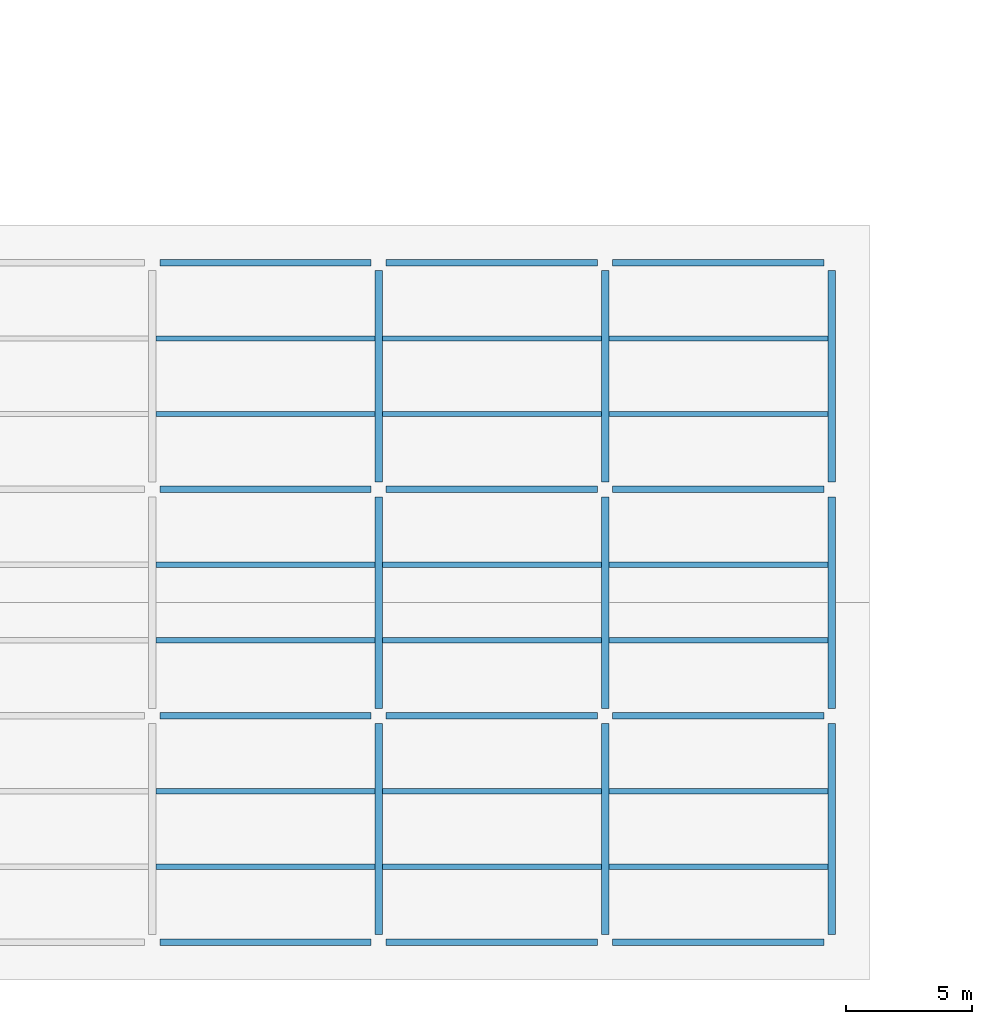
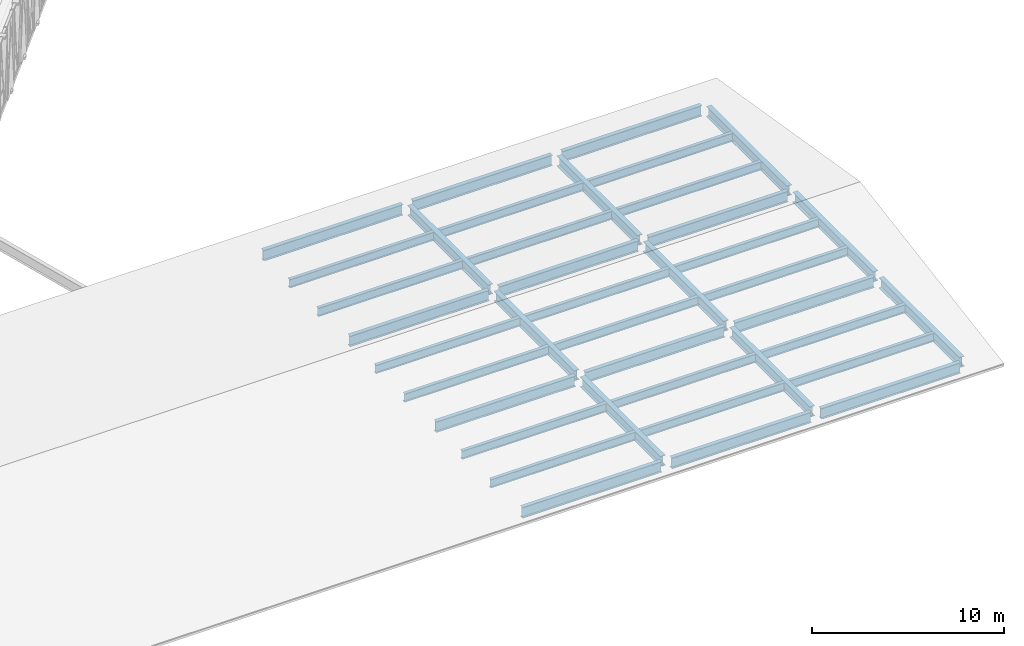
# One storey, part 25 of 108: 39 beams.
"""IFC4 building model written with IfcOpenShell, lengths in metres."""

from ifc_helpers import new_model, si_unit, direction, frame, origin, origin_2d, place, context, subcontext, project, spatial, i_section, extrude, material, material_profile, profile_set, type_object, element, save


model = new_model("IFC4")

# Units and contexts
model_context = context("Model", 3, precision=1e-05, world=origin(), true_north=direction((0.0, 1.0)))
body_context = subcontext(model_context, "Body", "Model", "MODEL_VIEW")
ifc_project = project(units=[si_unit("LENGTHUNIT", "METRE"), si_unit("AREAUNIT", "SQUARE_METRE"), si_unit("VOLUMEUNIT", "CUBIC_METRE"), si_unit("PLANEANGLEUNIT", "RADIAN"), si_unit("MASSUNIT", "GRAM", prefix="KILO")], contexts=[model_context])

# Site, building, storey
site_placement = place(None, origin())
site = spatial("IfcSite", under=ifc_project, at=site_placement, CompositionType="ELEMENT")
building_placement = place(site_placement, origin())
building = spatial("IfcBuilding", under=site, at=building_placement, Name="Zevraka Park Crest Stadium", CompositionType="ELEMENT")
storey_placement = place(building_placement, frame((0.0, 0.0, 19.800048828125)))
storey = spatial("IfcBuildingStorey", under=building, at=storey_placement, Name="L04", CompositionType="ELEMENT", Elevation=19.800048828125)

# Beams
ifc_material_1 = material(Name="Steel S355", Category="steel")
ifc_material_profile_1 = material_profile(ifc_material_1, i_section(OverallWidth=0.253662109375, OverallDepth=0.68359375, WebThickness=0.012451171875, FlangeThickness=0.01904296875, at=origin_2d()), Name="UKB 686x254x140")
ifc_profile_set_1 = profile_set([ifc_material_profile_1], Name="Steel S355")
beam_type_1 = type_object("IfcBeamType", Name="BG05", PredefinedType="BEAM", material=ifc_profile_set_1)
for number, where, z_axis, x_axis, name in (
    (1, (188.300048828125, 0.0, -0.60986328125), (1.0, 0.0, 0.0), (0.0, 1.0, 0.0), "Wing Girder BG05 L04-2122/A"),
    (2, (188.300048828125, 9.0, -0.60986328125), (1.0, 0.0, 0.0), (0.0, 1.0, 0.0), "Wing Girder BG05 L04-2122/B"),
    (3, (188.300048828125, 18.0, -0.60986328125), (1.0, 0.0, 0.0), (0.0, 1.0, 0.0), "Wing Girder BG05 L04-2122/C"),
    (4, (188.300048828125, 27.0, -0.60986328125), (1.0, 0.0, 0.0), (0.0, 1.0, 0.0), "Wing Girder BG05 L04-2122/D"),
    (5, (197.300048828125, 0.0, -0.60986328125), (1.0, 0.0, 0.0), (0.0, 1.0, 0.0), "Wing Girder BG05 L04-2223/A"),
    (6, (197.300048828125, 9.0, -0.60986328125), (1.0, 0.0, 0.0), (0.0, 1.0, 0.0), "Wing Girder BG05 L04-2223/B"),
    (7, (197.300048828125, 18.0, -0.60986328125), (1.0, 0.0, 0.0), (0.0, 1.0, 0.0), "Wing Girder BG05 L04-2223/C"),
    (8, (197.300048828125, 27.0, -0.60986328125), (1.0, 0.0, 0.0), (0.0, 1.0, 0.0), "Wing Girder BG05 L04-2223/D"),
    (9, (206.300048828125, 0.0, -0.60986328125), (1.0, 0.0, 0.0), (0.0, 1.0, 0.0), "Wing Girder BG05 L04-2324/A"),
    (10, (206.300048828125, 9.0, -0.60986328125), (1.0, 0.0, 0.0), (0.0, 1.0, 0.0), "Wing Girder BG05 L04-2324/B"),
    (11, (206.300048828125, 18.0, -0.60986328125), (1.0, 0.0, 0.0), (0.0, 1.0, 0.0), "Wing Girder BG05 L04-2324/C"),
    (12, (206.300048828125, 27.0, -0.60986328125), (1.0, 0.0, 0.0), (0.0, 1.0, 0.0), "Wing Girder BG05 L04-2324/D"),
):
    element("IfcBeam", number, at=place(storey_placement, frame(where, z_axis=z_axis, x_axis=x_axis)), inside=storey, type_object=beam_type_1, Name=name, PredefinedType="BEAM", context=body_context, shape_type="SweptSolid", body=[
        extrude(i_section(OverallWidth=0.253662109375, OverallDepth=0.68359375, WebThickness=0.012451171875, FlangeThickness=0.01904296875, at=origin_2d()), origin(), (0.0, 0.0, 1.0), 8.39990234375),
    ])
ifc_material_2 = material(Name="Steel S355", Category="steel")
ifc_material_profile_2 = material_profile(ifc_material_2, i_section(OverallWidth=0.300048828125, OverallDepth=0.64990234375, WebThickness=0.01611328125, FlangeThickness=0.031005859375, at=origin_2d()), Name="HEB 650")
ifc_profile_set_2 = profile_set([ifc_material_profile_2], Name="Steel S355")
beam_type_2 = type_object("IfcBeamType", Name="BG07", PredefinedType="BEAM", material=ifc_profile_set_2)
for number, where, z_axis, x_axis, name in (
    (13, (197.0, 0.300048828125, -0.593017578125), (0.0, 1.0, 0.0), (-1.0, 0.0, 0.0), "Wing Girder BG07 L04-22/AB"),
    (14, (197.0, 9.300048828125, -0.593017578125), (0.0, 1.0, 0.0), (-1.0, 0.0, 0.0), "Wing Girder BG07 L04-22/BC"),
    (15, (197.0, 18.300048828125, -0.593017578125), (0.0, 1.0, 0.0), (-1.0, 0.0, 0.0), "Wing Girder BG07 L04-22/CD"),
    (16, (206.0, 0.300048828125, -0.593017578125), (0.0, 1.0, 0.0), (-1.0, 0.0, 0.0), "Wing Girder BG07 L04-23/AB"),
    (17, (206.0, 9.300048828125, -0.593017578125), (0.0, 1.0, 0.0), (-1.0, 0.0, 0.0), "Wing Girder BG07 L04-23/BC"),
    (18, (206.0, 18.300048828125, -0.593017578125), (0.0, 1.0, 0.0), (-1.0, 0.0, 0.0), "Wing Girder BG07 L04-23/CD"),
    (19, (215.0, 0.300048828125, -0.593017578125), (0.0, 1.0, 0.0), (-1.0, 0.0, 0.0), "Wing Girder BG07 L04-24/AB"),
    (20, (215.0, 9.300048828125, -0.593017578125), (0.0, 1.0, 0.0), (-1.0, 0.0, 0.0), "Wing Girder BG07 L04-24/BC"),
    (21, (215.0, 18.300048828125, -0.593017578125), (0.0, 1.0, 0.0), (-1.0, 0.0, 0.0), "Wing Girder BG07 L04-24/CD"),
):
    element("IfcBeam", number, at=place(storey_placement, frame(where, z_axis=z_axis, x_axis=x_axis)), inside=storey, type_object=beam_type_2, Name=name, PredefinedType="BEAM", context=body_context, shape_type="SweptSolid", body=[
        extrude(i_section(OverallWidth=0.300048828125, OverallDepth=0.64990234375, WebThickness=0.01611328125, FlangeThickness=0.031005859375, at=origin_2d()), origin(), (0.0, 0.0, 1.0), 8.39990234375),
    ])
ifc_material_3 = material(Name="Steel S355", Category="steel")
ifc_material_profile_3 = material_profile(ifc_material_3, i_section(OverallWidth=0.209228515625, OverallDepth=0.533203125, WebThickness=0.010009765625, FlangeThickness=0.015625, at=origin_2d()), Name="UKB 533x210x92")
ifc_profile_set_3 = profile_set([ifc_material_profile_3], Name="Steel S355")
beam_type_3 = type_object("IfcBeamType", Name="SJ05", PredefinedType="JOIST", material=ifc_profile_set_3)
for number, where, z_axis, x_axis, name in (
    (22, (188.14501953125, 3.0, -0.53662109375), (1.0, 0.0, 0.0), (0.0, 1.0, 0.0), "Wing Joist SJ05 L04-21/A-1"),
    (23, (188.14501953125, 6.0, -0.53662109375), (1.0, 0.0, 0.0), (0.0, 1.0, 0.0), "Wing Joist SJ05 L04-21/A-2"),
    (24, (188.14501953125, 12.0, -0.53662109375), (1.0, 0.0, 0.0), (0.0, 1.0, 0.0), "Wing Joist SJ05 L04-21/B-1"),
    (25, (188.14501953125, 15.0, -0.53662109375), (1.0, 0.0, 0.0), (0.0, 1.0, 0.0), "Wing Joist SJ05 L04-21/B-2"),
    (26, (188.14501953125, 21.0, -0.53662109375), (1.0, 0.0, 0.0), (0.0, 1.0, 0.0), "Wing Joist SJ05 L04-21/C-1"),
    (27, (188.14501953125, 24.0, -0.53662109375), (1.0, 0.0, 0.0), (0.0, 1.0, 0.0), "Wing Joist SJ05 L04-21/C-2"),
    (28, (197.14501953125, 3.0, -0.53662109375), (1.0, 0.0, 0.0), (0.0, 1.0, 0.0), "Wing Joist SJ05 L04-22/A-1"),
    (29, (197.14501953125, 6.0, -0.53662109375), (1.0, 0.0, 0.0), (0.0, 1.0, 0.0), "Wing Joist SJ05 L04-22/A-2"),
    (30, (197.14501953125, 12.0, -0.53662109375), (1.0, 0.0, 0.0), (0.0, 1.0, 0.0), "Wing Joist SJ05 L04-22/B-1"),
    (31, (197.14501953125, 15.0, -0.53662109375), (1.0, 0.0, 0.0), (0.0, 1.0, 0.0), "Wing Joist SJ05 L04-22/B-2"),
    (32, (197.14501953125, 21.0, -0.53662109375), (1.0, 0.0, 0.0), (0.0, 1.0, 0.0), "Wing Joist SJ05 L04-22/C-1"),
    (33, (197.14501953125, 24.0, -0.53662109375), (1.0, 0.0, 0.0), (0.0, 1.0, 0.0), "Wing Joist SJ05 L04-22/C-2"),
    (34, (206.14501953125, 3.0, -0.53662109375), (1.0, 0.0, 0.0), (0.0, 1.0, 0.0), "Wing Joist SJ05 L04-23/A-1"),
    (35, (206.14501953125, 6.0, -0.53662109375), (1.0, 0.0, 0.0), (0.0, 1.0, 0.0), "Wing Joist SJ05 L04-23/A-2"),
    (36, (206.14501953125, 12.0, -0.53662109375), (1.0, 0.0, 0.0), (0.0, 1.0, 0.0), "Wing Joist SJ05 L04-23/B-1"),
    (37, (206.14501953125, 15.0, -0.53662109375), (1.0, 0.0, 0.0), (0.0, 1.0, 0.0), "Wing Joist SJ05 L04-23/B-2"),
    (38, (206.14501953125, 21.0, -0.53662109375), (1.0, 0.0, 0.0), (0.0, 1.0, 0.0), "Wing Joist SJ05 L04-23/C-1"),
    (39, (206.14501953125, 24.0, -0.53662109375), (1.0, 0.0, 0.0), (0.0, 1.0, 0.0), "Wing Joist SJ05 L04-23/C-2"),
):
    element("IfcBeam", number, at=place(storey_placement, frame(where, z_axis=z_axis, x_axis=x_axis)), inside=storey, type_object=beam_type_3, Name=name, PredefinedType="JOIST", context=body_context, shape_type="SweptSolid", body=[
        extrude(i_section(OverallWidth=0.209228515625, OverallDepth=0.533203125, WebThickness=0.010009765625, FlangeThickness=0.015625, at=origin_2d()), origin(), (0.0, 0.0, 1.0), 8.7099609375),
    ])

save(model, "model.ifc")
